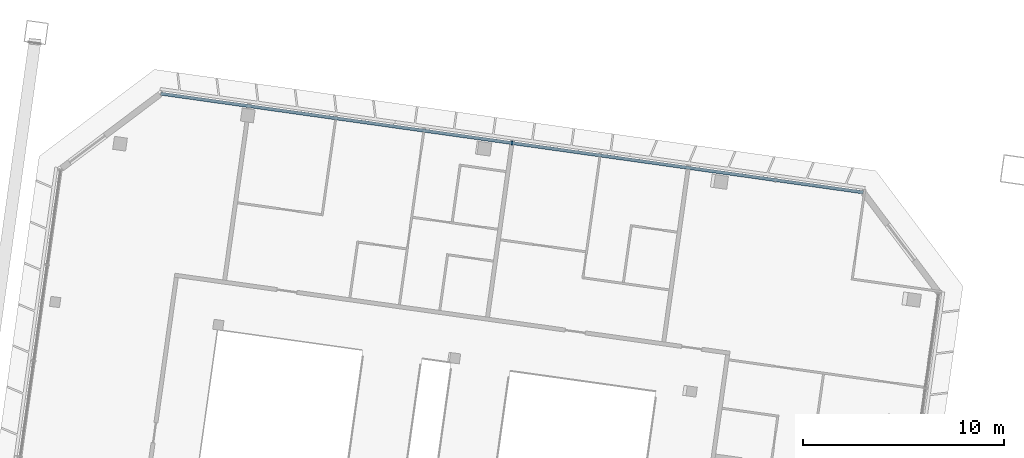
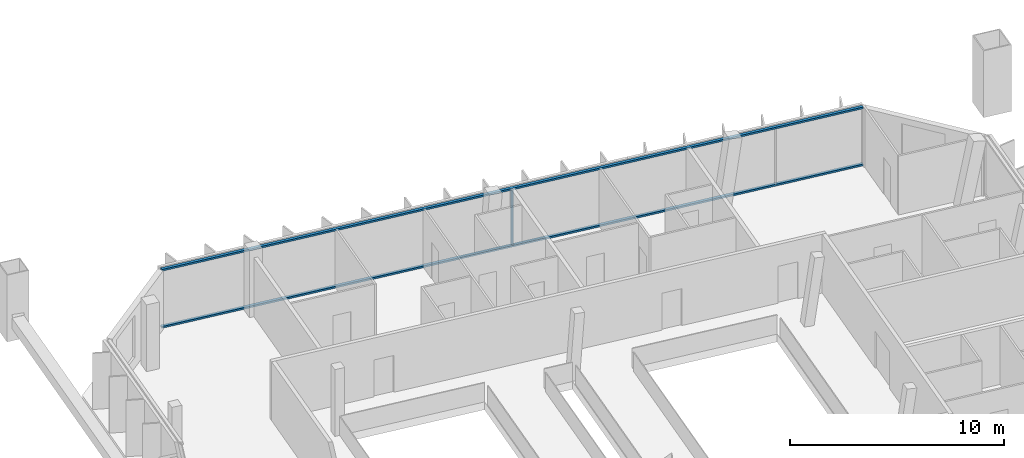
# One storey, part 7 of 26: 3 members, 1 element without a shape of its own.
"""IFC4 building model written with IfcOpenShell, lengths in metres."""

from ifc_helpers import new_model, si_unit, direction, frame, origin, origin_2d, place, context, subcontext, project, spatial, rectangle, extrude, material, material_profile, profile_set, type_object, element, aggregate, save


model = new_model("IFC4")

# Units and contexts
model_context = context("Model", 3, precision=1e-05, world=origin(), true_north=direction((0.0, 1.0)))
body_context = subcontext(model_context, "Body", "Model", "MODEL_VIEW")
ifc_project = project(units=[si_unit("LENGTHUNIT", "METRE"), si_unit("AREAUNIT", "SQUARE_METRE"), si_unit("VOLUMEUNIT", "CUBIC_METRE"), si_unit("PLANEANGLEUNIT", "RADIAN"), si_unit("MASSUNIT", "GRAM", prefix="KILO")], contexts=[model_context])

# Site, building, storey
site_placement = place(None, origin())
site = spatial("IfcSite", under=ifc_project, at=site_placement, CompositionType="ELEMENT")
building_placement = place(site_placement, origin())
building = spatial("IfcBuilding", under=site, at=building_placement, Name="Mirante Cascada Hotel Towers", CompositionType="ELEMENT")
storey_placement = place(building_placement, frame((0.0, 0.0, 235.6)))
storey = spatial("IfcBuildingStorey", under=building, at=storey_placement, Name="L56", CompositionType="ELEMENT", Elevation=235.6)

# Curtain wall, members
ifc_material_1 = material(Name="Aluminium mullion and transom frame with clear laminated glass", Category="aluminium")
curtain_wall_type = type_object("IfcCurtainWallType", Name="Ribbon curtain wall ECW1", PredefinedType="NOTDEFINED", material=ifc_material_1)
curtain_wall_placement = place(storey_placement, origin())
curtain_wall = element("IfcCurtainWall", 1, at=curtain_wall_placement, inside=storey, type_object=curtain_wall_type, Name="Front ribbon wall T1 L56", PredefinedType="NOTDEFINED")
ifc_material_2 = material(Name="Anodised aluminium extrusion", Category="aluminium")
ifc_material_profile_1 = material_profile(ifc_material_2, rectangle(XDim=0.2, YDim=0.065, at=origin_2d()), Name="ECW1 MULLION 65x200")
ifc_profile_set_1 = profile_set([ifc_material_profile_1], Name="Anodised aluminium extrusion")
member_type_1 = type_object("IfcMemberType", Name="ECW1 mullion 65x200", PredefinedType="MULLION", material=ifc_profile_set_1)
member_1_placement = place(storey_placement, frame((-41.0331, 18.5859, 0.1), z_axis=(0.0, 0.0, 1.0), x_axis=(0.1391731, 0.9902681, 0.0)))
member_1 = element("IfcMember", 2, at=member_1_placement, type_object=member_type_1, Name="ECW1 mullion 5", PredefinedType="MULLION", context=body_context, shape_type="SweptSolid", body=[
    extrude(rectangle(XDim=0.2, YDim=0.065, at=origin_2d()), origin(), (0.0, 0.0, 1.0), 3.15),
])
ifc_material_3 = material(Name="Anodised aluminium extrusion", Category="aluminium")
ifc_material_profile_2 = material_profile(ifc_material_3, rectangle(XDim=0.16, YDim=0.1, at=origin_2d()), Name="ECW1 TRANSOM 100x160")
ifc_profile_set_2 = profile_set([ifc_material_profile_2], Name="Anodised aluminium extrusion")
member_type_2 = type_object("IfcMemberType", Name="ECW1 transom 100x160", PredefinedType="USERDEFINED", material=ifc_profile_set_2)
member_2_placement = place(storey_placement, frame((-58.5085, 21.0419, 0.05), z_axis=(0.9902677, -0.1391755, 0.0), x_axis=(0.1391755, 0.9902677, 0.0)))
member_2 = element("IfcMember", 3, at=member_2_placement, type_object=member_type_2, Name="ECW1 sill transom", ObjectType="TRANSOM", PredefinedType="USERDEFINED", context=body_context, shape_type="SweptSolid", body=[
    extrude(rectangle(XDim=0.16, YDim=0.1, at=origin_2d()), origin(), (0.0, 0.0, 1.0), 35.2943),
])
member_3_placement = place(storey_placement, frame((-58.5085, 21.0419, 3.3), z_axis=(0.9902677, -0.1391755, 0.0), x_axis=(0.1391755, 0.9902677, 0.0)))
member_3 = element("IfcMember", 4, at=member_3_placement, type_object=member_type_2, Name="ECW1 head transom", ObjectType="TRANSOM", PredefinedType="USERDEFINED", context=body_context, shape_type="SweptSolid", body=[
    extrude(rectangle(XDim=0.16, YDim=0.1, at=origin_2d()), origin(), (0.0, 0.0, 1.0), 35.2943),
])
aggregate(curtain_wall, [member_2, member_3, member_1])

save(model, "model.ifc")
